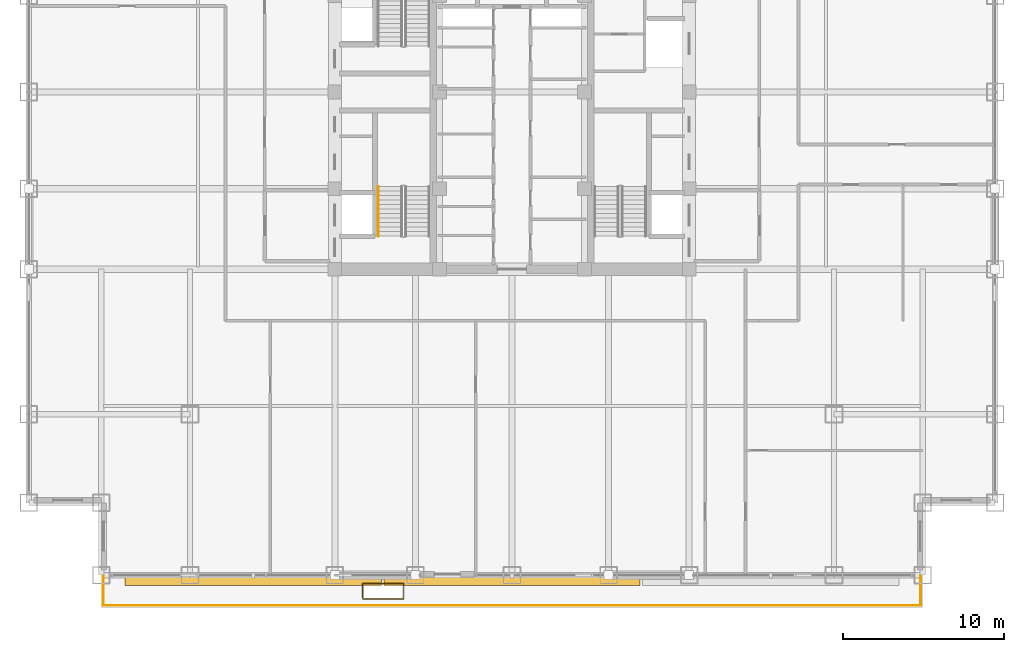
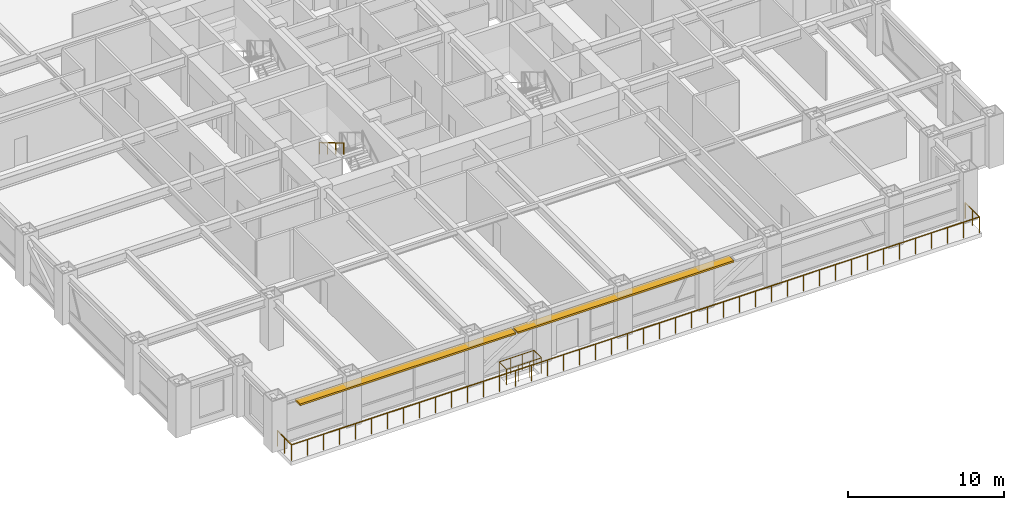
# One storey, part 31 of 35: 3 railings, 2 shading devices.
"""IFC4 building model written with IfcOpenShell, lengths in metres."""

from ifc_helpers import new_model, si_unit, direction, frame, origin, origin_2d, place, context, subcontext, project, spatial, rectangle, circle, extrude, source, transform, mapped, material, layer, layer_set, type_object, element, save


model = new_model("IFC4")

# Units and contexts
model_context = context("Model", 3, precision=1e-05, world=origin(), true_north=direction((0.0, 1.0)))
body_context = subcontext(model_context, "Body", "Model", "MODEL_VIEW")
ifc_project = project(units=[si_unit("LENGTHUNIT", "METRE"), si_unit("AREAUNIT", "SQUARE_METRE"), si_unit("VOLUMEUNIT", "CUBIC_METRE"), si_unit("PLANEANGLEUNIT", "RADIAN"), si_unit("MASSUNIT", "GRAM", prefix="KILO")], contexts=[model_context])

# Site, building, storey
site_placement = place(None, origin())
site = spatial("IfcSite", under=ifc_project, at=site_placement, CompositionType="ELEMENT")
building_placement = place(site_placement, origin())
building = spatial("IfcBuilding", under=site, at=building_placement, Name="Khorayat Bourse Tower", CompositionType="ELEMENT")
storey_placement = place(building_placement, frame((0.0, 0.0, 155.10009765625)))
storey = spatial("IfcBuildingStorey", under=building, at=storey_placement, Name="L35", CompositionType="ELEMENT", Elevation=155.10009765625)

# Railing
ifc_material_1 = material(Name="Laminated glass and bronze balustrade", Category="glass")
railing_type_1 = type_object("IfcRailingType", Name="RLG-TERR-1250", PredefinedType="GUARDRAIL", material=ifc_material_1)
shared_shape_1 = source(origin(), body_context, "Body", "SweptSolid", [
    extrude(circle(Radius=0.02392578125, at=origin_2d()), frame((0.0, 0.0, 1.22607421875), z_axis=(1.0, 0.0, 0.0), x_axis=(0.0, 1.0, 0.0)), (0.0, 0.0, 1.0), 2.56005859375),
    extrude(circle(Radius=0.02392578125, at=origin_2d()), frame((2.56005859375, 0.0, 1.22607421875), z_axis=(0.0, 1.0, 0.0), x_axis=(-1.0, 0.0, 0.0)), (0.0, 0.0, 1.0), 0.9599609375),
    extrude(circle(Radius=0.02392578125, at=origin_2d()), frame((2.56005859375, 0.9599609375, 1.22607421875), z_axis=(-1.0, 0.0, 0.0), x_axis=(0.0, -1.0, 0.0)), (0.0, 0.0, 1.0), 2.56005859375),
    extrude(circle(Radius=0.02392578125, at=origin_2d()), frame((0.0, 0.9599609375, 1.22607421875), z_axis=(0.0, -1.0, 0.0), x_axis=(1.0, 0.0, 0.0)), (0.0, 0.0, 1.0), 0.8798828125),
    extrude(circle(Radius=0.02099609375, at=origin_2d()), origin(), (0.0, 0.0, 1.0), 1.201904296875),
    extrude(circle(Radius=0.02099609375, at=origin_2d()), frame((0.853271484375, 0.0, 0.0)), (0.0, 0.0, 1.0), 1.201904296875),
    extrude(circle(Radius=0.02099609375, at=origin_2d()), frame((1.706787109375, 0.0, 0.0)), (0.0, 0.0, 1.0), 1.201904296875),
    extrude(circle(Radius=0.02099609375, at=origin_2d()), frame((2.56005859375, 0.0, 0.0)), (0.0, 0.0, 1.0), 1.201904296875),
    extrude(circle(Radius=0.02099609375, at=origin_2d()), frame((2.56005859375, 0.9599609375, 0.0)), (0.0, 0.0, 1.0), 1.201904296875),
    extrude(circle(Radius=0.02099609375, at=origin_2d()), frame((1.706787109375, 0.9599609375, 0.0)), (0.0, 0.0, 1.0), 1.201904296875),
    extrude(circle(Radius=0.02099609375, at=origin_2d()), frame((0.853271484375, 0.9599609375, 0.0)), (0.0, 0.0, 1.0), 1.201904296875),
    extrude(circle(Radius=0.02099609375, at=origin_2d()), frame((0.0, 0.9599609375, 0.0)), (0.0, 0.0, 1.0), 1.201904296875),
    extrude(circle(Radius=0.02099609375, at=origin_2d()), frame((0.0, 0.080078125, 0.0)), (0.0, 0.0, 1.0), 1.201904296875),
])
railing_1_placement = place(storey_placement, frame((-9.280029296875, -31.47998046875, 0.0)))
element("IfcRailing", 1, at=railing_1_placement, inside=storey, type_object=railing_type_1, Name="L35 Terrace Tree-Pit Guardrail 02", PredefinedType="GUARDRAIL", context=body_context, shape_type="MappedRepresentation", body=[
    mapped(shared_shape_1, transform((0.0, 0.0, 0.0), scale=1.0)),
])

# Shading devices
ifc_material_2 = material(Name="Precast concrete C45/55", Category="concrete")
ifc_layer = layer(ifc_material_2, 0.139892578125)
ifc_layer_set = layer_set([ifc_layer], Name="Precast concrete C45/55")
shading_device_type = type_object("IfcShadingDeviceType", Name="SHD-WAVE-TRAY-B", PredefinedType="USERDEFINED", material=ifc_layer_set)
shared_shape_2 = source(origin(), body_context, "Body", "SweptSolid", [
    extrude(rectangle(XDim=15.9267578125, YDim=0.65087890625, at=origin_2d()), origin(), (0.0, 0.0, 1.0), 0.139892578125),
])
shading_device_1_placement = place(storey_placement, frame((-16.066650390625, -30.305419921875, 3.02978515625), z_axis=(0.0, 0.0, 1.0), x_axis=(1.0, 0.0, 0.0)))
element("IfcShadingDevice", 2, at=shading_device_1_placement, inside=storey, type_object=shading_device_type, Name="L35 Sinusoidal Wave Sunshade Tray S-1", ObjectType="SUNSHADE", PredefinedType="USERDEFINED", context=body_context, shape_type="MappedRepresentation", body=[
    mapped(shared_shape_2, transform((0.0, 0.0, 0.0), scale=1.0)),
])
shared_shape_3 = source(origin(), body_context, "Body", "SweptSolid", [
    extrude(rectangle(XDim=15.9267578125, YDim=0.6611328125, at=origin_2d()), origin(), (0.0, 0.0, 1.0), 0.139892578125),
])
shading_device_2_placement = place(storey_placement, frame((0.0, -30.310546875, 3.02978515625), z_axis=(0.0, 0.0, 1.0), x_axis=(1.0, 0.0, 0.0)))
element("IfcShadingDevice", 3, at=shading_device_2_placement, inside=storey, type_object=shading_device_type, Name="L35 Sinusoidal Wave Sunshade Tray S-2", ObjectType="SUNSHADE", PredefinedType="USERDEFINED", context=body_context, shape_type="MappedRepresentation", body=[
    mapped(shared_shape_3, transform((0.0, 0.0, 0.0), scale=1.0)),
])

# Railings
shared_shape_4 = source(origin(), body_context, "Body", "SweptSolid", [
    extrude(circle(Radius=0.02392578125, at=origin_2d()), frame((0.0, 0.0, 1.22607421875), z_axis=(0.0, -1.0, 0.0), x_axis=(1.0, 0.0, 0.0)), (0.0, 0.0, 1.0), 1.829833984375),
    extrude(circle(Radius=0.02392578125, at=origin_2d()), frame((0.0, -1.829833984375, 1.22607421875), z_axis=(1.0, 0.0, 0.0), x_axis=(0.0, 1.0, 0.0)), (0.0, 0.0, 1.0), 50.759765625),
    extrude(circle(Radius=0.02392578125, at=origin_2d()), frame((50.759765625, -1.829833984375, 1.22607421875), z_axis=(0.0, 1.0, 0.0), x_axis=(-1.0, 0.0, 0.0)), (0.0, 0.0, 1.0), 1.829833984375),
    extrude(circle(Radius=0.02099609375, at=origin_2d()), origin(), (0.0, 0.0, 1.0), 1.201904296875),
    extrude(circle(Radius=0.02099609375, at=origin_2d()), frame((0.0, -0.9150390625, 0.0)), (0.0, 0.0, 1.0), 1.201904296875),
    extrude(circle(Radius=0.02099609375, at=origin_2d()), frame((0.0, -1.829833984375, 0.0)), (0.0, 0.0, 1.0), 1.201904296875),
    extrude(circle(Radius=0.02099609375, at=origin_2d()), frame((1.180419921875, -1.829833984375, 0.0)), (0.0, 0.0, 1.0), 1.201904296875),
    extrude(circle(Radius=0.02099609375, at=origin_2d()), frame((2.36083984375, -1.829833984375, 0.0)), (0.0, 0.0, 1.0), 1.201904296875),
    extrude(circle(Radius=0.02099609375, at=origin_2d()), frame((3.541259765625, -1.829833984375, 0.0)), (0.0, 0.0, 1.0), 1.201904296875),
    extrude(circle(Radius=0.02099609375, at=origin_2d()), frame((4.721923828125, -1.829833984375, 0.0)), (0.0, 0.0, 1.0), 1.201904296875),
    extrude(circle(Radius=0.02099609375, at=origin_2d()), frame((5.90234375, -1.829833984375, 0.0)), (0.0, 0.0, 1.0), 1.201904296875),
    extrude(circle(Radius=0.02099609375, at=origin_2d()), frame((7.082763671875, -1.829833984375, 0.0)), (0.0, 0.0, 1.0), 1.201904296875),
    extrude(circle(Radius=0.02099609375, at=origin_2d()), frame((8.26318359375, -1.829833984375, 0.0)), (0.0, 0.0, 1.0), 1.201904296875),
    extrude(circle(Radius=0.02099609375, at=origin_2d()), frame((9.443603515625, -1.829833984375, 0.0)), (0.0, 0.0, 1.0), 1.201904296875),
    extrude(circle(Radius=0.02099609375, at=origin_2d()), frame((10.6240234375, -1.829833984375, 0.0)), (0.0, 0.0, 1.0), 1.201904296875),
    extrude(circle(Radius=0.02099609375, at=origin_2d()), frame((11.8046875, -1.829833984375, 0.0)), (0.0, 0.0, 1.0), 1.201904296875),
    extrude(circle(Radius=0.02099609375, at=origin_2d()), frame((12.985107421875, -1.829833984375, 0.0)), (0.0, 0.0, 1.0), 1.201904296875),
    extrude(circle(Radius=0.02099609375, at=origin_2d()), frame((14.16552734375, -1.829833984375, 0.0)), (0.0, 0.0, 1.0), 1.201904296875),
    extrude(circle(Radius=0.02099609375, at=origin_2d()), frame((15.345947265625, -1.829833984375, 0.0)), (0.0, 0.0, 1.0), 1.201904296875),
    extrude(circle(Radius=0.02099609375, at=origin_2d()), frame((16.5263671875, -1.829833984375, 0.0)), (0.0, 0.0, 1.0), 1.201904296875),
    extrude(circle(Radius=0.02099609375, at=origin_2d()), frame((17.706787109375, -1.829833984375, 0.0)), (0.0, 0.0, 1.0), 1.201904296875),
    extrude(circle(Radius=0.02099609375, at=origin_2d()), frame((18.887451171875, -1.829833984375, 0.0)), (0.0, 0.0, 1.0), 1.201904296875),
    extrude(circle(Radius=0.02099609375, at=origin_2d()), frame((20.06787109375, -1.829833984375, 0.0)), (0.0, 0.0, 1.0), 1.201904296875),
    extrude(circle(Radius=0.02099609375, at=origin_2d()), frame((21.248291015625, -1.829833984375, 0.0)), (0.0, 0.0, 1.0), 1.201904296875),
    extrude(circle(Radius=0.02099609375, at=origin_2d()), frame((22.4287109375, -1.829833984375, 0.0)), (0.0, 0.0, 1.0), 1.201904296875),
    extrude(circle(Radius=0.02099609375, at=origin_2d()), frame((23.609130859375, -1.829833984375, 0.0)), (0.0, 0.0, 1.0), 1.201904296875),
    extrude(circle(Radius=0.02099609375, at=origin_2d()), frame((24.78955078125, -1.829833984375, 0.0)), (0.0, 0.0, 1.0), 1.201904296875),
    extrude(circle(Radius=0.02099609375, at=origin_2d()), frame((25.97021484375, -1.829833984375, 0.0)), (0.0, 0.0, 1.0), 1.201904296875),
    extrude(circle(Radius=0.02099609375, at=origin_2d()), frame((27.150634765625, -1.829833984375, 0.0)), (0.0, 0.0, 1.0), 1.201904296875),
    extrude(circle(Radius=0.02099609375, at=origin_2d()), frame((28.3310546875, -1.829833984375, 0.0)), (0.0, 0.0, 1.0), 1.201904296875),
    extrude(circle(Radius=0.02099609375, at=origin_2d()), frame((29.511474609375, -1.829833984375, 0.0)), (0.0, 0.0, 1.0), 1.201904296875),
    extrude(circle(Radius=0.02099609375, at=origin_2d()), frame((30.69189453125, -1.829833984375, 0.0)), (0.0, 0.0, 1.0), 1.201904296875),
    extrude(circle(Radius=0.02099609375, at=origin_2d()), frame((31.872314453125, -1.829833984375, 0.0)), (0.0, 0.0, 1.0), 1.201904296875),
    extrude(circle(Radius=0.02099609375, at=origin_2d()), frame((33.052978515625, -1.829833984375, 0.0)), (0.0, 0.0, 1.0), 1.201904296875),
    extrude(circle(Radius=0.02099609375, at=origin_2d()), frame((34.2333984375, -1.829833984375, 0.0)), (0.0, 0.0, 1.0), 1.201904296875),
    extrude(circle(Radius=0.02099609375, at=origin_2d()), frame((35.413818359375, -1.829833984375, 0.0)), (0.0, 0.0, 1.0), 1.201904296875),
    extrude(circle(Radius=0.02099609375, at=origin_2d()), frame((36.59423828125, -1.829833984375, 0.0)), (0.0, 0.0, 1.0), 1.201904296875),
    extrude(circle(Radius=0.02099609375, at=origin_2d()), frame((37.774658203125, -1.829833984375, 0.0)), (0.0, 0.0, 1.0), 1.201904296875),
    extrude(circle(Radius=0.02099609375, at=origin_2d()), frame((38.955078125, -1.829833984375, 0.0)), (0.0, 0.0, 1.0), 1.201904296875),
    extrude(circle(Radius=0.02099609375, at=origin_2d()), frame((40.1357421875, -1.829833984375, 0.0)), (0.0, 0.0, 1.0), 1.201904296875),
    extrude(circle(Radius=0.02099609375, at=origin_2d()), frame((41.316162109375, -1.829833984375, 0.0)), (0.0, 0.0, 1.0), 1.201904296875),
    extrude(circle(Radius=0.02099609375, at=origin_2d()), frame((42.49658203125, -1.829833984375, 0.0)), (0.0, 0.0, 1.0), 1.201904296875),
    extrude(circle(Radius=0.02099609375, at=origin_2d()), frame((43.677001953125, -1.829833984375, 0.0)), (0.0, 0.0, 1.0), 1.201904296875),
    extrude(circle(Radius=0.02099609375, at=origin_2d()), frame((44.857421875, -1.829833984375, 0.0)), (0.0, 0.0, 1.0), 1.201904296875),
    extrude(circle(Radius=0.02099609375, at=origin_2d()), frame((46.037841796875, -1.829833984375, 0.0)), (0.0, 0.0, 1.0), 1.201904296875),
    extrude(circle(Radius=0.02099609375, at=origin_2d()), frame((47.218505859375, -1.829833984375, 0.0)), (0.0, 0.0, 1.0), 1.201904296875),
    extrude(circle(Radius=0.02099609375, at=origin_2d()), frame((48.39892578125, -1.829833984375, 0.0)), (0.0, 0.0, 1.0), 1.201904296875),
    extrude(circle(Radius=0.02099609375, at=origin_2d()), frame((49.579345703125, -1.829833984375, 0.0)), (0.0, 0.0, 1.0), 1.201904296875),
    extrude(circle(Radius=0.02099609375, at=origin_2d()), frame((50.759765625, -1.829833984375, 0.0)), (0.0, 0.0, 1.0), 1.201904296875),
    extrude(circle(Radius=0.02099609375, at=origin_2d()), frame((50.759765625, -0.9150390625, 0.0)), (0.0, 0.0, 1.0), 1.201904296875),
    extrude(circle(Radius=0.02099609375, at=origin_2d()), frame((50.759765625, 0.0, 0.0)), (0.0, 0.0, 1.0), 1.201904296875),
])
railing_2_placement = place(storey_placement, frame((-25.3798828125, -30.050048828125, 0.0)))
element("IfcRailing", 4, at=railing_2_placement, inside=storey, type_object=railing_type_1, Name="L35 South Setback Terrace Guardrail", PredefinedType="GUARDRAIL", context=body_context, shape_type="MappedRepresentation", body=[
    mapped(shared_shape_4, transform((0.0, 0.0, 0.0), scale=1.0)),
])
ifc_material_3 = material(Name="Brushed bronze stainless-steel handrail", Category="steel")
railing_type_2 = type_object("IfcRailingType", Name="RLG-HAND-900", PredefinedType="HANDRAIL", material=ifc_material_3)
shared_shape_5 = source(origin(), body_context, "Body", "SweptSolid", [
    extrude(circle(Radius=0.02392578125, at=origin_2d()), frame((0.0, 0.0, 0.8759765625), z_axis=(0.0, -0.859260807169, 0.511537745687), x_axis=(1.0, 0.0, 0.0)), (0.0, 0.0, 1.0), 3.584228515625),
    extrude(circle(Radius=0.02099609375, at=origin_2d()), origin(), (0.0, 0.0, 1.0), 0.851806640625),
    extrude(circle(Radius=0.02099609375, at=origin_2d()), frame((0.0, -1.026611328125, 0.611083984375)), (0.0, 0.0, 1.0), 0.851806640625),
    extrude(circle(Radius=0.02099609375, at=origin_2d()), frame((0.0, -2.05322265625, 1.222412109375)), (0.0, 0.0, 1.0), 0.851806640625),
    extrude(circle(Radius=0.02099609375, at=origin_2d()), frame((0.0, -3.079833984375, 1.83349609375)), (0.0, 0.0, 1.0), 0.851806640625),
])
railing_3_placement = place(storey_placement, frame((-8.300048828125, -5.8701171875, 2.16650390625)))
element("IfcRailing", 5, at=railing_3_placement, inside=storey, type_object=railing_type_2, Name="L35 ST-1 stair handrail 2", PredefinedType="HANDRAIL", context=body_context, shape_type="MappedRepresentation", body=[
    mapped(shared_shape_5, transform((0.0, 0.0, 0.0), scale=1.0)),
])

save(model, "model.ifc")
